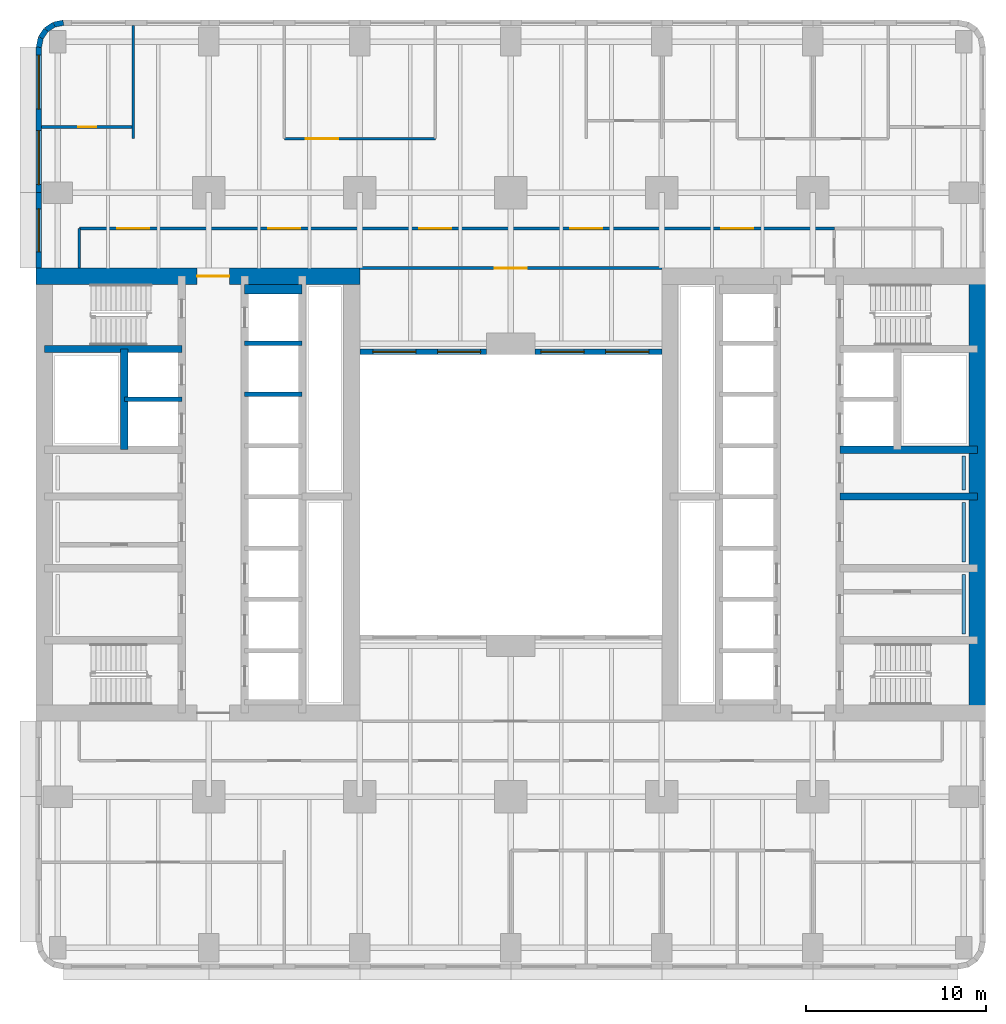
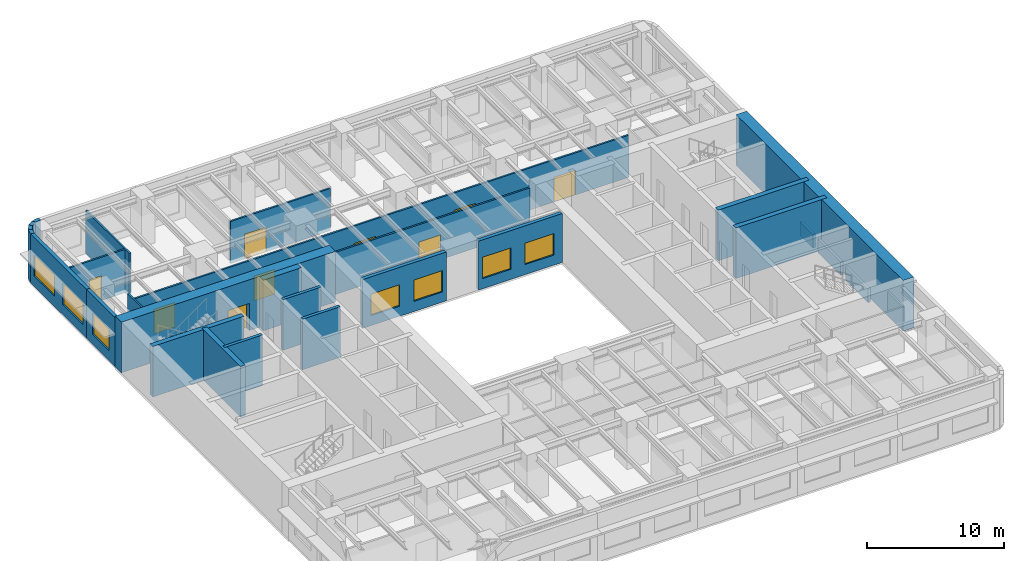
# One storey, part 6 of 14: 27 walls, 9 doors, 7 windows, 16 openings.
"""IFC4 building model written with IfcOpenShell, lengths in metres."""

from ifc_helpers import new_model, si_unit, direction, frame, frame_2d, origin, place, context, subcontext, project, spatial, rectangle, extrude, material, layer, layer_set, type_object, element, fill, save


model = new_model("IFC4")

# Units and contexts
model_context = context("Model", 3, precision=1e-05, world=origin(), true_north=direction((0.0, 1.0)))
body_context = subcontext(model_context, "Body", "Model", "MODEL_VIEW")
ifc_project = project(units=[si_unit("LENGTHUNIT", "METRE"), si_unit("AREAUNIT", "SQUARE_METRE"), si_unit("VOLUMEUNIT", "CUBIC_METRE"), si_unit("PLANEANGLEUNIT", "RADIAN"), si_unit("MASSUNIT", "GRAM", prefix="KILO")], contexts=[model_context])

# Site, building, storey
site_placement = place(None, origin())
site = spatial("IfcSite", under=ifc_project, at=site_placement, CompositionType="ELEMENT")
building_placement = place(site_placement, origin())
building = spatial("IfcBuilding", under=site, at=building_placement, Name="Claustro Exchange Tower", CompositionType="ELEMENT")
storey_placement = place(building_placement, frame((0.0, 0.0, 41.39990234375)))
storey = spatial("IfcBuildingStorey", under=building, at=storey_placement, Name="L09", CompositionType="ELEMENT", Elevation=41.39990234375)

# Wall, opening, door
ifc_material_1 = material(Name="Gypsum board on steel studs", Category="steel")
ifc_layer_1 = layer(ifc_material_1, 0.14990234375)
ifc_layer_set_1 = layer_set([ifc_layer_1], Name="Gypsum board on steel studs")
wall_type_1 = type_object("IfcWallType", Name="P1 150 plasterboard partition", PredefinedType="PARTITIONING", material=ifc_layer_set_1)
wall_1_placement = place(storey_placement, frame((-0.902099609375, 45.64990234375, 0.0), z_axis=(0.0, 0.0, 1.0), x_axis=(1.0, 0.0, 0.0)))
wall_1 = element("IfcWall", 1, at=wall_1_placement, inside=storey, type_object=wall_type_1, Name="Partition P1 L09", PredefinedType="PARTITIONING", context=body_context, shape_type="SweptSolid", body=[
    extrude(rectangle(XDim=5.028076171875, YDim=0.14990234375, at=frame_2d((2.51416015625, 0.0))), origin(), (0.0, 0.0, 1.0), 3.840087890625),
])
opening_1_placement = place(wall_1_placement, frame((2.052001953125, 0.0, 0.0)))
opening_1 = element("IfcOpeningElement", 2, at=opening_1_placement, cuts=wall_1, Name="Opening D1", PredefinedType="OPENING", context=body_context, shape_type="SweptSolid", body=[
    extrude(rectangle(XDim=1.0, YDim=2.199951171875, at=frame_2d((0.5, 1.10009765625))), frame((0.0, 0.0849609375, 0.0), z_axis=(0.0, -1.0, 0.0), x_axis=(1.0, 0.0, 0.0)), (0.0, 0.0, 1.0), 0.169921875),
])
ifc_material_2 = material(Name="Timber door, oak veneer", Category="wood")
door_type_1 = type_object("IfcDoorType", Name="D1 1000 x 2200 single door", OperationType="SINGLE_SWING_LEFT", PredefinedType="DOOR", material=ifc_material_2)
door_1_placement = place(opening_1_placement, origin())
door_1 = element("IfcDoor", 3, at=door_1_placement, inside=storey, type_object=door_type_1, Name="Door D1 L09", OperationType="SINGLE_SWING_RIGHT", OverallHeight=2.199951171875, OverallWidth=1.0, PredefinedType="DOOR", context=body_context, shape_type="SweptSolid", body=[
    extrude(rectangle(XDim=1.0, YDim=2.199951171875, at=frame_2d((0.5, 1.10009765625))), frame((0.0, 0.02490234375, 0.0), z_axis=(0.0, -1.0, 0.0), x_axis=(1.0, 0.0, 0.0)), (0.0, 0.0, 1.0), 0.050048828125),
])
fill(opening_1, door_1)

# Wall
wall_2_placement = place(storey_placement, frame((4.199951171875, 45.0, 0.0), z_axis=(0.0, 0.0, 1.0), x_axis=(0.0, 1.0, 0.0)))
element("IfcWall", 4, at=wall_2_placement, inside=storey, type_object=wall_type_1, Name="Partition P1 L09", PredefinedType="PARTITIONING", context=body_context, shape_type="SweptSolid", body=[
    extrude(rectangle(XDim=6.302001953125, YDim=0.14990234375, at=frame_2d((3.15087890625, 0.0))), origin(), (0.0, 0.0, 1.0), 3.840087890625),
])

# Wall, opening, door
wall_3_placement = place(storey_placement, frame((12.60009765625, 45.0, 0.0), z_axis=(0.0, 0.0, 1.0), x_axis=(1.0, 0.0, 0.0)))
wall_3 = element("IfcWall", 5, at=wall_3_placement, inside=storey, type_object=wall_type_1, Name="Partition P1 L09", PredefinedType="PARTITIONING", context=body_context, shape_type="SweptSolid", body=[
    extrude(rectangle(XDim=8.39990234375, YDim=0.14990234375, at=frame_2d((4.199951171875, 0.0))), origin(), (0.0, 0.0, 1.0), 3.739990234375),
])
opening_2_placement = place(wall_3_placement, frame((1.199951171875, 0.0, 0.0)))
opening_2 = element("IfcOpeningElement", 6, at=opening_2_placement, cuts=wall_3, Name="Opening D2", PredefinedType="OPENING", context=body_context, shape_type="SweptSolid", body=[
    extrude(rectangle(XDim=1.800048828125, YDim=2.199951171875, at=frame_2d((0.89990234375, 1.10009765625))), frame((0.0, 0.0849609375, 0.0), z_axis=(0.0, -1.0, 0.0), x_axis=(1.0, 0.0, 0.0)), (0.0, 0.0, 1.0), 0.169921875),
])
ifc_material_3 = material(Name="Timber door, oak veneer", Category="wood")
door_type_2 = type_object("IfcDoorType", Name="D2 1800 x 2200 double door", OperationType="DOUBLE_DOOR_SINGLE_SWING", PredefinedType="DOOR", material=ifc_material_3)
door_2_placement = place(opening_2_placement, origin())
door_2 = element("IfcDoor", 7, at=door_2_placement, inside=storey, type_object=door_type_2, Name="Double door D2 L09", OperationType="DOUBLE_DOOR_SINGLE_SWING", OverallHeight=2.199951171875, OverallWidth=1.800048828125, PredefinedType="DOOR", context=body_context, shape_type="SweptSolid", body=[
    extrude(rectangle(XDim=1.800048828125, YDim=2.199951171875, at=frame_2d((0.89990234375, 1.10009765625))), frame((0.0, 0.02490234375, 0.0), z_axis=(0.0, -1.0, 0.0), x_axis=(1.0, 0.0, 0.0)), (0.0, 0.0, 1.0), 0.050048828125),
])
fill(opening_2, door_2)

# Wall, openings, doors
wall_4_placement = place(storey_placement, frame((1.199951171875, 40.0, 0.0), z_axis=(0.0, 0.0, 1.0), x_axis=(1.0, 0.0, 0.0)))
wall_4 = element("IfcWall", 8, at=wall_4_placement, inside=storey, type_object=wall_type_1, Name="Partition P1 L09", PredefinedType="PARTITIONING", context=body_context, shape_type="SweptSolid", body=[
    extrude(rectangle(XDim=42.001953125, YDim=0.14990234375, at=frame_2d((21.0009765625, 0.0))), origin(), (0.0, 0.0, 1.0), 3.739990234375),
])
opening_3_placement = place(wall_4_placement, frame((2.10009765625, 0.0, 0.0)))
opening_3 = element("IfcOpeningElement", 9, at=opening_3_placement, cuts=wall_4, Name="Opening D2", PredefinedType="OPENING", context=body_context, shape_type="SweptSolid", body=[
    extrude(rectangle(XDim=1.800048828125, YDim=2.199951171875, at=frame_2d((0.89990234375, 1.10009765625))), frame((0.0, 0.0849609375, 0.0), z_axis=(0.0, -1.0, 0.0), x_axis=(1.0, 0.0, 0.0)), (0.0, 0.0, 1.0), 0.169921875),
])
opening_4_placement = place(wall_4_placement, frame((10.5, 0.0, 0.0)))
opening_4 = element("IfcOpeningElement", 10, at=opening_4_placement, cuts=wall_4, Name="Opening D2", PredefinedType="OPENING", context=body_context, shape_type="SweptSolid", body=[
    extrude(rectangle(XDim=1.800048828125, YDim=2.199951171875, at=frame_2d((0.89990234375, 1.10009765625))), frame((0.0, 0.0849609375, 0.0), z_axis=(0.0, -1.0, 0.0), x_axis=(1.0, 0.0, 0.0)), (0.0, 0.0, 1.0), 0.169921875),
])
opening_5_placement = place(wall_4_placement, frame((18.89990234375, 0.0, 0.0)))
opening_5 = element("IfcOpeningElement", 11, at=opening_5_placement, cuts=wall_4, Name="Opening D2", PredefinedType="OPENING", context=body_context, shape_type="SweptSolid", body=[
    extrude(rectangle(XDim=1.800048828125, YDim=2.199951171875, at=frame_2d((0.89990234375, 1.10009765625))), frame((0.0, 0.0849609375, 0.0), z_axis=(0.0, -1.0, 0.0), x_axis=(1.0, 0.0, 0.0)), (0.0, 0.0, 1.0), 0.169921875),
])
opening_6_placement = place(wall_4_placement, frame((27.300048828125, 0.0, 0.0)))
opening_6 = element("IfcOpeningElement", 12, at=opening_6_placement, cuts=wall_4, Name="Opening D2", PredefinedType="OPENING", context=body_context, shape_type="SweptSolid", body=[
    extrude(rectangle(XDim=1.800048828125, YDim=2.199951171875, at=frame_2d((0.89990234375, 1.10009765625))), frame((0.0, 0.0849609375, 0.0), z_axis=(0.0, -1.0, 0.0), x_axis=(1.0, 0.0, 0.0)), (0.0, 0.0, 1.0), 0.169921875),
])
opening_7_placement = place(wall_4_placement, frame((35.699951171875, 0.0, 0.0)))
opening_7 = element("IfcOpeningElement", 13, at=opening_7_placement, cuts=wall_4, Name="Opening D2", PredefinedType="OPENING", context=body_context, shape_type="SweptSolid", body=[
    extrude(rectangle(XDim=1.800048828125, YDim=2.199951171875, at=frame_2d((0.89990234375, 1.10009765625))), frame((0.0, 0.0849609375, 0.0), z_axis=(0.0, -1.0, 0.0), x_axis=(1.0, 0.0, 0.0)), (0.0, 0.0, 1.0), 0.169921875),
])
door_3_placement = place(opening_3_placement, origin())
door_3 = element("IfcDoor", 14, at=door_3_placement, inside=storey, type_object=door_type_2, Name="Double door D2 L09", OperationType="DOUBLE_DOOR_SINGLE_SWING", OverallHeight=2.199951171875, OverallWidth=1.800048828125, PredefinedType="DOOR", context=body_context, shape_type="SweptSolid", body=[
    extrude(rectangle(XDim=1.800048828125, YDim=2.199951171875, at=frame_2d((0.89990234375, 1.10009765625))), frame((0.0, 0.02490234375, 0.0), z_axis=(0.0, -1.0, 0.0), x_axis=(1.0, 0.0, 0.0)), (0.0, 0.0, 1.0), 0.050048828125),
])
fill(opening_3, door_3)
door_4_placement = place(opening_4_placement, origin())
door_4 = element("IfcDoor", 15, at=door_4_placement, inside=storey, type_object=door_type_2, Name="Double door D2 L09", OperationType="DOUBLE_DOOR_SINGLE_SWING", OverallHeight=2.199951171875, OverallWidth=1.800048828125, PredefinedType="DOOR", context=body_context, shape_type="SweptSolid", body=[
    extrude(rectangle(XDim=1.800048828125, YDim=2.199951171875, at=frame_2d((0.89990234375, 1.10009765625))), frame((0.0, 0.02490234375, 0.0), z_axis=(0.0, -1.0, 0.0), x_axis=(1.0, 0.0, 0.0)), (0.0, 0.0, 1.0), 0.050048828125),
])
fill(opening_4, door_4)
door_5_placement = place(opening_5_placement, origin())
door_5 = element("IfcDoor", 16, at=door_5_placement, inside=storey, type_object=door_type_2, Name="Double door D2 L09", OperationType="DOUBLE_DOOR_SINGLE_SWING", OverallHeight=2.199951171875, OverallWidth=1.800048828125, PredefinedType="DOOR", context=body_context, shape_type="SweptSolid", body=[
    extrude(rectangle(XDim=1.800048828125, YDim=2.199951171875, at=frame_2d((0.89990234375, 1.10009765625))), frame((0.0, 0.02490234375, 0.0), z_axis=(0.0, -1.0, 0.0), x_axis=(1.0, 0.0, 0.0)), (0.0, 0.0, 1.0), 0.050048828125),
])
fill(opening_5, door_5)
door_6_placement = place(opening_6_placement, origin())
door_6 = element("IfcDoor", 17, at=door_6_placement, inside=storey, type_object=door_type_2, Name="Double door D2 L09", OperationType="DOUBLE_DOOR_SINGLE_SWING", OverallHeight=2.199951171875, OverallWidth=1.800048828125, PredefinedType="DOOR", context=body_context, shape_type="SweptSolid", body=[
    extrude(rectangle(XDim=1.800048828125, YDim=2.199951171875, at=frame_2d((0.89990234375, 1.10009765625))), frame((0.0, 0.02490234375, 0.0), z_axis=(0.0, -1.0, 0.0), x_axis=(1.0, 0.0, 0.0)), (0.0, 0.0, 1.0), 0.050048828125),
])
fill(opening_6, door_6)
door_7_placement = place(opening_7_placement, origin())
door_7 = element("IfcDoor", 18, at=door_7_placement, inside=storey, type_object=door_type_2, Name="Double door D2 L09", OperationType="DOUBLE_DOOR_SINGLE_SWING", OverallHeight=2.199951171875, OverallWidth=1.800048828125, PredefinedType="DOOR", context=body_context, shape_type="SweptSolid", body=[
    extrude(rectangle(XDim=1.800048828125, YDim=2.199951171875, at=frame_2d((0.89990234375, 1.10009765625))), frame((0.0, 0.02490234375, 0.0), z_axis=(0.0, -1.0, 0.0), x_axis=(1.0, 0.0, 0.0)), (0.0, 0.0, 1.0), 0.050048828125),
])
fill(opening_7, door_7)

# Wall
wall_5_placement = place(storey_placement, frame((1.199951171875, 37.800048828125, 0.0), z_axis=(0.0, 0.0, 1.0), x_axis=(0.0, 1.0, 0.0)))
element("IfcWall", 19, at=wall_5_placement, inside=storey, type_object=wall_type_1, Name="Partition P1 L09", PredefinedType="PARTITIONING", context=body_context, shape_type="SweptSolid", body=[
    extrude(rectangle(XDim=2.199951171875, YDim=0.14990234375, at=frame_2d((1.10009765625, 0.0))), origin(), (0.0, 0.0, 1.0), 4.340087890625),
])

# Wall, opening, door
wall_6_placement = place(storey_placement, frame((16.798095703125, 37.800048828125, 0.0), z_axis=(0.0, 0.0, 1.0), x_axis=(1.0, 0.0, 0.0)))
wall_6 = element("IfcWall", 20, at=wall_6_placement, inside=storey, type_object=wall_type_1, Name="Partition P1 L09", PredefinedType="PARTITIONING", context=body_context, shape_type="SweptSolid", body=[
    extrude(rectangle(XDim=16.803955078125, YDim=0.14990234375, at=frame_2d((8.40185546875, 0.0))), origin(), (0.0, 0.0, 1.0), 3.739990234375),
])
opening_8_placement = place(wall_6_placement, frame((7.501953125, 0.0, 0.0)))
opening_8 = element("IfcOpeningElement", 21, at=opening_8_placement, cuts=wall_6, Name="Opening D2", PredefinedType="OPENING", context=body_context, shape_type="SweptSolid", body=[
    extrude(rectangle(XDim=1.800048828125, YDim=2.199951171875, at=frame_2d((0.89990234375, 1.10009765625))), frame((0.0, 0.0849609375, 0.0), z_axis=(0.0, -1.0, 0.0), x_axis=(1.0, 0.0, 0.0)), (0.0, 0.0, 1.0), 0.169921875),
])
door_8_placement = place(opening_8_placement, origin())
door_8 = element("IfcDoor", 22, at=door_8_placement, inside=storey, type_object=door_type_2, Name="Double door D2 L09", OperationType="DOUBLE_DOOR_SINGLE_SWING", OverallHeight=2.199951171875, OverallWidth=1.800048828125, PredefinedType="DOOR", context=body_context, shape_type="SweptSolid", body=[
    extrude(rectangle(XDim=1.800048828125, YDim=2.199951171875, at=frame_2d((0.89990234375, 1.10009765625))), frame((0.0, 0.02490234375, 0.0), z_axis=(0.0, -1.0, 0.0), x_axis=(1.0, 0.0, 0.0)), (0.0, 0.0, 1.0), 0.050048828125),
])
fill(opening_8, door_8)

# Wall, opening, window
ifc_material_4 = material(Name="Concrete HA-40 (C40/50), precast, white cement, acid-etched", Category="concrete")
ifc_layer_2 = layer(ifc_material_4, 0.300048828125)
ifc_layer_set_2 = layer_set([ifc_layer_2], Name="Concrete HA-40 (C40/50), precast, white cement, acid-etched")
wall_type_2 = type_object("IfcWallType", Name="PC1 300 precast concrete pier panel", PredefinedType="SOLIDWALL", material=ifc_layer_set_2)
wall_7_placement = place(storey_placement, frame((-1.050048828125, 37.800048828125, 0.0), z_axis=(0.0, 0.0, 1.0), x_axis=(0.0, 1.0, 0.0)))
wall_7 = element("IfcWall", 23, at=wall_7_placement, inside=storey, type_object=wall_type_2, Name="Precast pier panel PC1 L09", PredefinedType="SOLIDWALL", context=body_context, shape_type="SweptSolid", body=[
    extrude(rectangle(XDim=4.199951171875, YDim=0.300048828125, at=frame_2d((2.10009765625, 0.0))), origin(), (0.0, 0.0, 1.0), 4.340087890625),
])
opening_9_placement = place(wall_7_placement, frame((0.89990234375, 0.0, 0.89990234375)))
opening_9 = element("IfcOpeningElement", 24, at=opening_9_placement, cuts=wall_7, Name="Opening W2", PredefinedType="OPENING", context=body_context, shape_type="SweptSolid", body=[
    extrude(rectangle(XDim=2.39990234375, YDim=1.89990234375, at=frame_2d((1.199951171875, 0.949951171875))), frame((0.0, 0.159912109375, 0.0), z_axis=(0.0, -1.0, 0.0), x_axis=(1.0, 0.0, 0.0)), (0.0, 0.0, 1.0), 0.320068359375),
])
ifc_material_5 = material(Name="Aluminium frame, clear double glazing", Category="aluminium")
window_type_1 = type_object("IfcWindowType", Name="W2 2400 x 1900 window", PartitioningType="SINGLE_PANEL", PredefinedType="WINDOW", material=ifc_material_5)
window_1_placement = place(opening_9_placement, origin())
window_1 = element("IfcWindow", 25, at=window_1_placement, inside=storey, type_object=window_type_1, Name="Window W2 L09", OverallHeight=1.89990234375, OverallWidth=2.39990234375, PartitioningType="SINGLE_PANEL", PredefinedType="WINDOW", context=body_context, shape_type="SweptSolid", body=[
    extrude(rectangle(XDim=2.39990234375, YDim=1.89990234375, at=frame_2d((1.199951171875, 0.949951171875))), frame((0.0, 0.030029296875, 0.0), z_axis=(0.0, -1.0, 0.0), x_axis=(1.0, 0.0, 0.0)), (0.0, 0.0, 1.0), 0.06005859375),
])
fill(opening_9, window_1)

# Wall, openings, windows
wall_8_placement = place(storey_placement, frame((-1.050048828125, 42.0, 0.0), z_axis=(0.0, 0.0, 1.0), x_axis=(0.0, 1.0, 0.0)))
wall_8 = element("IfcWall", 26, at=wall_8_placement, inside=storey, type_object=wall_type_2, Name="Precast pier panel PC1 L09", PredefinedType="SOLIDWALL", context=body_context, shape_type="SweptSolid", body=[
    extrude(rectangle(XDim=8.085205078125, YDim=0.300048828125, at=frame_2d((4.04248046875, 0.0))), origin(), (0.0, 0.0, 1.0), 4.340087890625),
])
opening_10_placement = place(wall_8_placement, frame((0.442626953125, 0.0, 0.89990234375)))
opening_10 = element("IfcOpeningElement", 27, at=opening_10_placement, cuts=wall_8, Name="Opening W1", PredefinedType="OPENING", context=body_context, shape_type="SweptSolid", body=[
    extrude(rectangle(XDim=3.0, YDim=1.89990234375, at=frame_2d((1.5, 0.949951171875))), frame((0.0, 0.159912109375, 0.0), z_axis=(0.0, -1.0, 0.0), x_axis=(1.0, 0.0, 0.0)), (0.0, 0.0, 1.0), 0.320068359375),
])
opening_11_placement = place(wall_8_placement, frame((4.642578125, 0.0, 0.89990234375)))
opening_11 = element("IfcOpeningElement", 28, at=opening_11_placement, cuts=wall_8, Name="Opening W1", PredefinedType="OPENING", context=body_context, shape_type="SweptSolid", body=[
    extrude(rectangle(XDim=3.0, YDim=1.89990234375, at=frame_2d((1.5, 0.949951171875))), frame((0.0, 0.159912109375, 0.0), z_axis=(0.0, -1.0, 0.0), x_axis=(1.0, 0.0, 0.0)), (0.0, 0.0, 1.0), 0.320068359375),
])
ifc_material_6 = material(Name="Aluminium frame, clear double glazing", Category="aluminium")
window_type_2 = type_object("IfcWindowType", Name="W1 3000 x 1900 window", PartitioningType="SINGLE_PANEL", PredefinedType="WINDOW", material=ifc_material_6)
window_2_placement = place(opening_10_placement, origin())
window_2 = element("IfcWindow", 29, at=window_2_placement, inside=storey, type_object=window_type_2, Name="Window W1 L09", OverallHeight=1.89990234375, OverallWidth=3.0, PartitioningType="SINGLE_PANEL", PredefinedType="WINDOW", context=body_context, shape_type="SweptSolid", body=[
    extrude(rectangle(XDim=3.0, YDim=1.89990234375, at=frame_2d((1.5, 0.949951171875))), frame((0.0, 0.030029296875, 0.0), z_axis=(0.0, -1.0, 0.0), x_axis=(1.0, 0.0, 0.0)), (0.0, 0.0, 1.0), 0.06005859375),
])
fill(opening_10, window_2)
window_3_placement = place(opening_11_placement, origin())
window_3 = element("IfcWindow", 30, at=window_3_placement, inside=storey, type_object=window_type_2, Name="Window W1 L09", OverallHeight=1.89990234375, OverallWidth=3.0, PartitioningType="SINGLE_PANEL", PredefinedType="WINDOW", context=body_context, shape_type="SweptSolid", body=[
    extrude(rectangle(XDim=3.0, YDim=1.89990234375, at=frame_2d((1.5, 0.949951171875))), frame((0.0, 0.030029296875, 0.0), z_axis=(0.0, -1.0, 0.0), x_axis=(1.0, 0.0, 0.0)), (0.0, 0.0, 1.0), 0.06005859375),
])
fill(opening_11, window_3)

# Walls
wall_9_placement = place(storey_placement, frame((-1.050048828125, 50.085205078125, 0.0), z_axis=(0.0, 0.0, 1.0), x_axis=(0.195073962632, 0.980788534345, 0.0)))
element("IfcWall", 31, at=wall_9_placement, inside=storey, type_object=wall_type_2, Name="Precast pier panel PC1 L09", PredefinedType="SOLIDWALL", context=body_context, shape_type="SweptSolid", body=[
    extrude(rectangle(XDim=0.540771484375, YDim=0.300048828125, at=frame_2d((0.2705078125, 0.0))), origin(), (0.0, 0.0, 1.0), 4.340087890625),
])
for number, where, z_axis, x_axis, name in (
    (32, (-0.944580078125, 50.615478515625, 0.0), (0.0, 0.0, 1.0), (0.555557463938, 0.831478144188, 0.0), "Precast pier panel PC1 L09"),
    (33, (-0.652587890625, 51.052490234375, 0.0), (0.0, 0.0, 1.0), (0.831478144188, 0.555557463938, 0.0), "Precast pier panel PC1 L09"),
):
    element("IfcWall", number, at=place(storey_placement, frame(where, z_axis=z_axis, x_axis=x_axis)), inside=storey, type_object=wall_type_2, Name=name, PredefinedType="SOLIDWALL", context=body_context, shape_type="SweptSolid", body=[
        extrude(rectangle(XDim=0.525634765625, YDim=0.300048828125, at=frame_2d((0.2626953125, 0.0))), origin(), (0.0, 0.0, 1.0), 4.340087890625),
    ])
wall_10_placement = place(storey_placement, frame((-0.215576171875, 51.344482421875, 0.0), z_axis=(0.0, 0.0, 1.0), x_axis=(0.980788534345, 0.195073962632, 0.0)))
element("IfcWall", 34, at=wall_10_placement, inside=storey, type_object=wall_type_2, Name="Precast pier panel PC1 L09", PredefinedType="SOLIDWALL", context=body_context, shape_type="SweptSolid", body=[
    extrude(rectangle(XDim=0.540771484375, YDim=0.300048828125, at=frame_2d((0.2705078125, 0.0))), origin(), (0.0, 0.0, 1.0), 4.340087890625),
])

# Wall, openings, windows
wall_11_placement = place(storey_placement, frame((16.800048828125, 33.14990234375, 0.0), z_axis=(0.0, 0.0, 1.0), x_axis=(1.0, 0.0, 0.0)))
wall_11 = element("IfcWall", 35, at=wall_11_placement, inside=storey, type_object=wall_type_2, Name="Precast pier panel PC1 L09", PredefinedType="SOLIDWALL", context=body_context, shape_type="SweptSolid", body=[
    extrude(rectangle(XDim=7.050048828125, YDim=0.300048828125, at=frame_2d((3.52490234375, 0.0))), origin(), (0.0, 0.0, 1.0), 4.340087890625),
])
opening_12_placement = place(wall_11_placement, frame((0.72509765625, 0.0, 0.89990234375)))
opening_12 = element("IfcOpeningElement", 36, at=opening_12_placement, cuts=wall_11, Name="Opening W2", PredefinedType="OPENING", context=body_context, shape_type="SweptSolid", body=[
    extrude(rectangle(XDim=2.39990234375, YDim=1.89990234375, at=frame_2d((1.199951171875, 0.949951171875))), frame((0.0, 0.159912109375, 0.0), z_axis=(0.0, -1.0, 0.0), x_axis=(1.0, 0.0, 0.0)), (0.0, 0.0, 1.0), 0.320068359375),
])
opening_13_placement = place(wall_11_placement, frame((4.324951171875, 0.0, 0.89990234375)))
opening_13 = element("IfcOpeningElement", 37, at=opening_13_placement, cuts=wall_11, Name="Opening W2", PredefinedType="OPENING", context=body_context, shape_type="SweptSolid", body=[
    extrude(rectangle(XDim=2.39990234375, YDim=1.89990234375, at=frame_2d((1.199951171875, 0.949951171875))), frame((0.0, 0.159912109375, 0.0), z_axis=(0.0, -1.0, 0.0), x_axis=(1.0, 0.0, 0.0)), (0.0, 0.0, 1.0), 0.320068359375),
])
window_4_placement = place(opening_12_placement, origin())
window_4 = element("IfcWindow", 38, at=window_4_placement, inside=storey, type_object=window_type_1, Name="Window W2 L09", OverallHeight=1.89990234375, OverallWidth=2.39990234375, PartitioningType="SINGLE_PANEL", PredefinedType="WINDOW", context=body_context, shape_type="SweptSolid", body=[
    extrude(rectangle(XDim=2.39990234375, YDim=1.89990234375, at=frame_2d((1.199951171875, 0.949951171875))), frame((0.0, 0.030029296875, 0.0), z_axis=(0.0, -1.0, 0.0), x_axis=(1.0, 0.0, 0.0)), (0.0, 0.0, 1.0), 0.06005859375),
])
fill(opening_12, window_4)
window_5_placement = place(opening_13_placement, origin())
window_5 = element("IfcWindow", 39, at=window_5_placement, inside=storey, type_object=window_type_1, Name="Window W2 L09", OverallHeight=1.89990234375, OverallWidth=2.39990234375, PartitioningType="SINGLE_PANEL", PredefinedType="WINDOW", context=body_context, shape_type="SweptSolid", body=[
    extrude(rectangle(XDim=2.39990234375, YDim=1.89990234375, at=frame_2d((1.199951171875, 0.949951171875))), frame((0.0, 0.030029296875, 0.0), z_axis=(0.0, -1.0, 0.0), x_axis=(1.0, 0.0, 0.0)), (0.0, 0.0, 1.0), 0.06005859375),
])
fill(opening_13, window_5)

wall_12_placement = place(storey_placement, frame((26.550048828125, 33.14990234375, 0.0), z_axis=(0.0, 0.0, 1.0), x_axis=(1.0, 0.0, 0.0)))
wall_12 = element("IfcWall", 40, at=wall_12_placement, inside=storey, type_object=wall_type_2, Name="Precast pier panel PC1 L09", PredefinedType="SOLIDWALL", context=body_context, shape_type="SweptSolid", body=[
    extrude(rectangle(XDim=7.050048828125, YDim=0.300048828125, at=frame_2d((3.52490234375, 0.0))), origin(), (0.0, 0.0, 1.0), 4.340087890625),
])
opening_14_placement = place(wall_12_placement, frame((0.324951171875, 0.0, 0.89990234375)))
opening_14 = element("IfcOpeningElement", 41, at=opening_14_placement, cuts=wall_12, Name="Opening W2", PredefinedType="OPENING", context=body_context, shape_type="SweptSolid", body=[
    extrude(rectangle(XDim=2.39990234375, YDim=1.89990234375, at=frame_2d((1.199951171875, 0.949951171875))), frame((0.0, 0.159912109375, 0.0), z_axis=(0.0, -1.0, 0.0), x_axis=(1.0, 0.0, 0.0)), (0.0, 0.0, 1.0), 0.320068359375),
])
opening_15_placement = place(wall_12_placement, frame((3.925048828125, 0.0, 0.89990234375)))
opening_15 = element("IfcOpeningElement", 42, at=opening_15_placement, cuts=wall_12, Name="Opening W2", PredefinedType="OPENING", context=body_context, shape_type="SweptSolid", body=[
    extrude(rectangle(XDim=2.39990234375, YDim=1.89990234375, at=frame_2d((1.199951171875, 0.949951171875))), frame((0.0, 0.159912109375, 0.0), z_axis=(0.0, -1.0, 0.0), x_axis=(1.0, 0.0, 0.0)), (0.0, 0.0, 1.0), 0.320068359375),
])
window_6_placement = place(opening_14_placement, origin())
window_6 = element("IfcWindow", 43, at=window_6_placement, inside=storey, type_object=window_type_1, Name="Window W2 L09", OverallHeight=1.89990234375, OverallWidth=2.39990234375, PartitioningType="SINGLE_PANEL", PredefinedType="WINDOW", context=body_context, shape_type="SweptSolid", body=[
    extrude(rectangle(XDim=2.39990234375, YDim=1.89990234375, at=frame_2d((1.199951171875, 0.949951171875))), frame((0.0, 0.030029296875, 0.0), z_axis=(0.0, -1.0, 0.0), x_axis=(1.0, 0.0, 0.0)), (0.0, 0.0, 1.0), 0.06005859375),
])
fill(opening_14, window_6)
window_7_placement = place(opening_15_placement, origin())
window_7 = element("IfcWindow", 44, at=window_7_placement, inside=storey, type_object=window_type_1, Name="Window W2 L09", OverallHeight=1.89990234375, OverallWidth=2.39990234375, PartitioningType="SINGLE_PANEL", PredefinedType="WINDOW", context=body_context, shape_type="SweptSolid", body=[
    extrude(rectangle(XDim=2.39990234375, YDim=1.89990234375, at=frame_2d((1.199951171875, 0.949951171875))), frame((0.0, 0.030029296875, 0.0), z_axis=(0.0, -1.0, 0.0), x_axis=(1.0, 0.0, 0.0)), (0.0, 0.0, 1.0), 0.06005859375),
])
fill(opening_15, window_7)

# Walls
ifc_material_7 = material(Name="Gypsum board on steel studs, tiled", Category="steel")
ifc_layer_3 = layer(ifc_material_7, 0.199951171875)
ifc_layer_set_3 = layer_set([ifc_layer_3], Name="Gypsum board on steel studs, tiled")
wall_type_3 = type_object("IfcWallType", Name="PW1 200 WC duct wall", PredefinedType="PLUMBINGWALL", material=ifc_layer_set_3)
for number, where, z_axis, x_axis, name in (
    (45, (50.39990234375, 17.449951171875, 0.0), (0.0, 0.0, 1.0), (0.0, 1.0, 0.0), "WC duct wall PW1 L09"),
    (46, (50.39990234375, 21.449951171875, 0.0), (0.0, 0.0, 1.0), (0.0, 1.0, 0.0), "WC duct wall PW1 L09"),
):
    element("IfcWall", number, at=place(storey_placement, frame(where, z_axis=z_axis, x_axis=x_axis)), inside=storey, type_object=wall_type_3, Name=name, PredefinedType="PLUMBINGWALL", context=body_context, shape_type="SweptSolid", body=[
        extrude(rectangle(XDim=3.300048828125, YDim=0.199951171875, at=frame_2d((1.64990234375, 0.0))), origin(), (0.0, 0.0, 1.0), 1.2001953125),
    ])
wall_13_placement = place(storey_placement, frame((50.39990234375, 25.449951171875, 0.0), z_axis=(0.0, 0.0, 1.0), x_axis=(0.0, 1.0, 0.0)))
element("IfcWall", 47, at=wall_13_placement, inside=storey, type_object=wall_type_3, Name="WC duct wall PW1 L09", PredefinedType="PLUMBINGWALL", context=body_context, shape_type="SweptSolid", body=[
    extrude(rectangle(XDim=1.900146484375, YDim=0.199951171875, at=frame_2d((0.9501953125, 0.0))), origin(), (0.0, 0.0, 1.0), 1.2001953125),
])

# Wall, opening, door
ifc_material_8 = material(Name="Concrete HA-70 (C70/85)", Category="concrete")
ifc_layer_4 = layer(ifc_material_8, 0.89990234375)
ifc_layer_set_4 = layer_set([ifc_layer_4], Name="Concrete HA-70 (C70/85)")
wall_type_4 = type_object("IfcWallType", Name="SW1 900 core shear wall", PredefinedType="SHEAR", material=ifc_layer_set_4)
wall_14_placement = place(storey_placement, frame((-1.199951171875, 37.35009765625, 0.0), z_axis=(0.0, 0.0, 1.0), x_axis=(1.0, 0.0, 0.0)))
wall_14 = element("IfcWall", 48, at=wall_14_placement, inside=storey, type_object=wall_type_4, Name="Core wall SW1 W core N face L09", PredefinedType="SHEAR", context=body_context, shape_type="SweptSolid", body=[
    extrude(rectangle(XDim=18.0, YDim=0.89990234375, at=frame_2d((9.0, 0.0))), origin(), (0.0, 0.0, 1.0), 4.5),
])
opening_16_placement = place(wall_14_placement, frame((8.949951171875, 0.0, 0.0)))
opening_16 = element("IfcOpeningElement", 49, at=opening_16_placement, cuts=wall_14, Name="Opening D3", PredefinedType="OPENING", context=body_context, shape_type="SweptSolid", body=[
    extrude(rectangle(XDim=1.800048828125, YDim=2.39990234375, at=frame_2d((0.89990234375, 1.199951171875))), frame((0.0, 0.4599609375, 0.0), z_axis=(0.0, -1.0, 0.0), x_axis=(1.0, 0.0, 0.0)), (0.0, 0.0, 1.0), 0.919921875),
])
ifc_material_9 = material(Name="Steel fire door, painted", Category="steel")
door_type_3 = type_object("IfcDoorType", Name="D3 1800 x 2400 fire-rated lobby double door", OperationType="DOUBLE_DOOR_SINGLE_SWING", PredefinedType="DOOR", material=ifc_material_9)
door_9_placement = place(opening_16_placement, frame((1.800048828125, 0.0, 0.0), z_axis=(0.0, 0.0, 1.0), x_axis=(-1.0, 0.0, 0.0)))
door_9 = element("IfcDoor", 50, at=door_9_placement, inside=storey, type_object=door_type_3, Name="Lift lobby door D3 L09", OperationType="DOUBLE_DOOR_SINGLE_SWING", OverallHeight=2.39990234375, OverallWidth=1.800048828125, PredefinedType="DOOR", context=body_context, shape_type="SweptSolid", body=[
    extrude(rectangle(XDim=1.800048828125, YDim=2.39990234375, at=frame_2d((0.89990234375, 1.199951171875))), frame((0.0, 0.02490234375, 0.0), z_axis=(0.0, -1.0, 0.0), x_axis=(1.0, 0.0, 0.0)), (0.0, 0.0, 1.0), 0.050048828125),
])
fill(opening_16, door_9)

# Walls
ifc_material_10 = material(Name="Concrete HA-70 (C70/85)", Category="concrete")
ifc_layer_5 = layer(ifc_material_10, 0.89990234375)
ifc_layer_set_5 = layer_set([ifc_layer_5], Name="Concrete HA-70 (C70/85)")
wall_type_5 = type_object("IfcWallType", Name="SW1X 900 exposed core shear wall, board-marked face", PredefinedType="SHEAR", material=ifc_layer_set_5)
wall_15_placement = place(storey_placement, frame((51.14990234375, 13.050048828125, 0.0), z_axis=(0.0, 0.0, 1.0), x_axis=(0.0, 1.0, 0.0)))
element("IfcWall", 51, at=wall_15_placement, inside=storey, type_object=wall_type_5, Name="Core wall SW1X E core E face L09", PredefinedType="SHEAR", context=body_context, shape_type="SweptSolid", body=[
    extrude(rectangle(XDim=24.300048828125, YDim=0.89990234375, at=frame_2d((12.14990234375, 0.0))), origin(), (0.0, 0.0, 1.0), 4.5),
])
ifc_material_11 = material(Name="Concrete HA-50 (C50/60)", Category="concrete")
ifc_layer_6 = layer(ifc_material_11, 0.39990234375)
ifc_layer_set_6 = layer_set([ifc_layer_6], Name="Concrete HA-50 (C50/60)")
wall_type_6 = type_object("IfcWallType", Name="SW4 400 internal core wall", PredefinedType="SHEAR", material=ifc_layer_set_6)
wall_16_placement = place(storey_placement, frame((-0.75, 33.300048828125, 0.0), z_axis=(0.0, 0.0, 1.0), x_axis=(1.0, 0.0, 0.0)))
element("IfcWall", 52, at=wall_16_placement, inside=storey, type_object=wall_type_6, Name="Internal core wall SW4 W core L09", PredefinedType="SHEAR", context=body_context, shape_type="SweptSolid", body=[
    extrude(rectangle(XDim=7.64990234375, YDim=0.39990234375, at=frame_2d((3.824951171875, 0.0))), origin(), (0.0, 0.0, 1.0), 4.5),
])
wall_17_placement = place(storey_placement, frame((3.699951171875, 27.699951171875, 0.0), z_axis=(0.0, 0.0, 1.0), x_axis=(0.0, 1.0, 0.0)))
element("IfcWall", 53, at=wall_17_placement, inside=storey, type_object=wall_type_6, Name="Internal core wall SW4 W core L09", PredefinedType="SHEAR", context=body_context, shape_type="SweptSolid", body=[
    extrude(rectangle(XDim=5.60009765625, YDim=0.39990234375, at=frame_2d((2.800048828125, 0.0))), origin(), (0.0, 0.0, 1.0), 4.5),
])
for number, where, z_axis, x_axis, name in (
    (54, (51.14990234375, 25.10009765625, 0.0), (0.0, 0.0, 1.0), (-1.0, 0.0, 0.0), "Internal core wall SW4 E core L09"),
    (55, (51.14990234375, 27.699951171875, 0.0), (0.0, 0.0, 1.0), (-1.0, 0.0, 0.0), "Internal core wall SW4 E core L09"),
):
    element("IfcWall", number, at=place(storey_placement, frame(where, z_axis=z_axis, x_axis=x_axis)), inside=storey, type_object=wall_type_6, Name=name, PredefinedType="SHEAR", context=body_context, shape_type="SweptSolid", body=[
        extrude(rectangle(XDim=7.64990234375, YDim=0.39990234375, at=frame_2d((3.824951171875, 0.0))), origin(), (0.0, 0.0, 1.0), 4.5),
    ])
ifc_material_12 = material(Name="Concrete HA-50 (C50/60)", Category="concrete")
ifc_layer_7 = layer(ifc_material_12, 0.25)
ifc_layer_set_7 = layer_set([ifc_layer_7], Name="Concrete HA-50 (C50/60)")
wall_type_7 = type_object("IfcWallType", Name="SW5 250 lift shaft divider wall", PredefinedType="SHEAR", material=ifc_layer_set_7)
wall_18_placement = place(storey_placement, frame((3.699951171875, 30.5, 0.0), z_axis=(0.0, 0.0, 1.0), x_axis=(1.0, 0.0, 0.0)))
element("IfcWall", 56, at=wall_18_placement, inside=storey, type_object=wall_type_7, Name="Lift shaft wall W core L09", PredefinedType="SHEAR", context=body_context, shape_type="SweptSolid", body=[
    extrude(rectangle(XDim=3.199951171875, YDim=0.25, at=frame_2d((1.60009765625, 0.0))), origin(), (0.0, 0.0, 1.0), 4.5),
])
for number, where, z_axis, x_axis, name in (
    (57, (10.39990234375, 30.77490234375, 0.0), (0.0, 0.0, 1.0), (1.0, 0.0, 0.0), "Lift shaft wall W core L09"),
    (58, (10.39990234375, 33.625, 0.0), (0.0, 0.0, 1.0), (1.0, 0.0, 0.0), "Lift shaft wall W core L09"),
):
    element("IfcWall", number, at=place(storey_placement, frame(where, z_axis=z_axis, x_axis=x_axis)), inside=storey, type_object=wall_type_7, Name=name, PredefinedType="SHEAR", context=body_context, shape_type="SweptSolid", body=[
        extrude(rectangle(XDim=3.2001953125, YDim=0.25, at=frame_2d((1.60009765625, 0.0))), origin(), (0.0, 0.0, 1.0), 4.5),
    ])
ifc_material_13 = material(Name="Concrete HA-50 (C50/60)", Category="concrete")
ifc_layer_8 = layer(ifc_material_13, 0.550048828125)
ifc_layer_set_8 = layer_set([ifc_layer_8], Name="Concrete HA-50 (C50/60)")
wall_type_8 = type_object("IfcWallType", Name="SW6 550 lift shaft end wall", PredefinedType="SHEAR", material=ifc_layer_set_8)
wall_19_placement = place(storey_placement, frame((10.39990234375, 36.625, 0.0), z_axis=(0.0, 0.0, 1.0), x_axis=(1.0, 0.0, 0.0)))
element("IfcWall", 59, at=wall_19_placement, inside=storey, type_object=wall_type_8, Name="Lift shaft wall W core L09", PredefinedType="SHEAR", context=body_context, shape_type="SweptSolid", body=[
    extrude(rectangle(XDim=3.2001953125, YDim=0.550048828125, at=frame_2d((1.60009765625, 0.0))), origin(), (0.0, 0.0, 1.0), 4.5),
])

save(model, "model.ifc")
